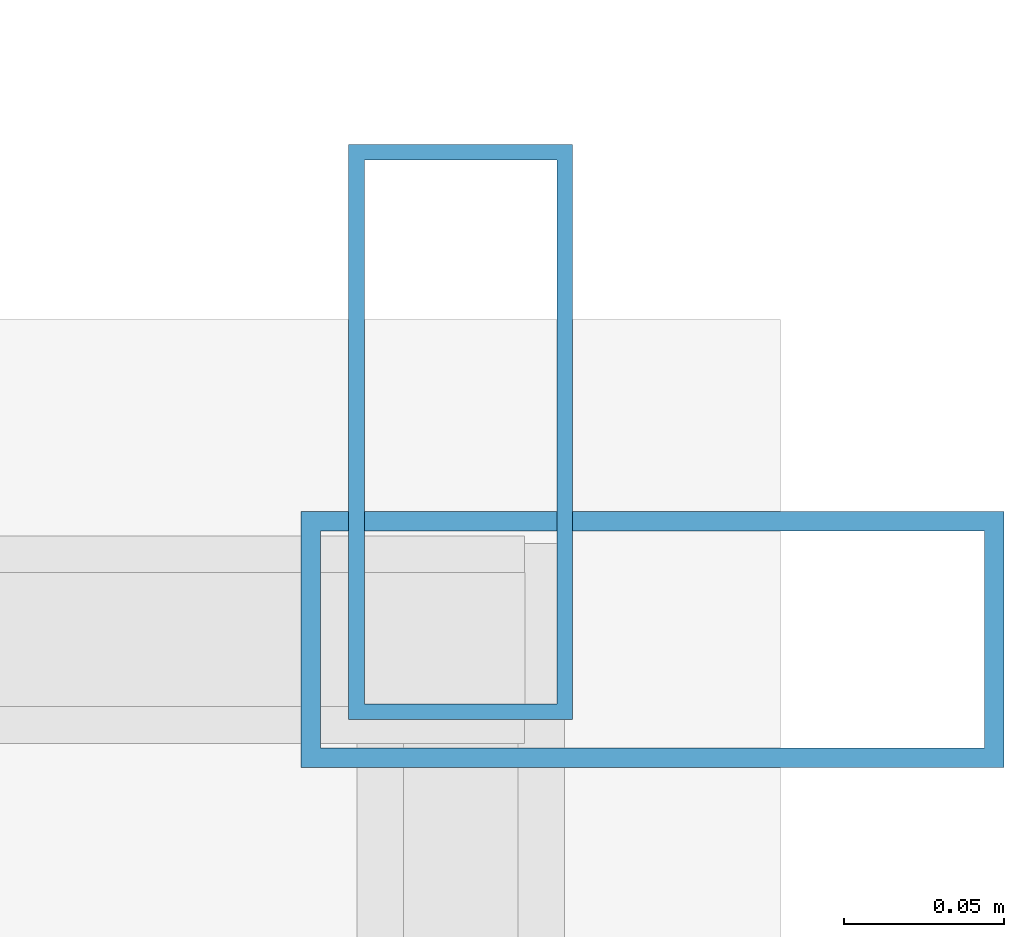
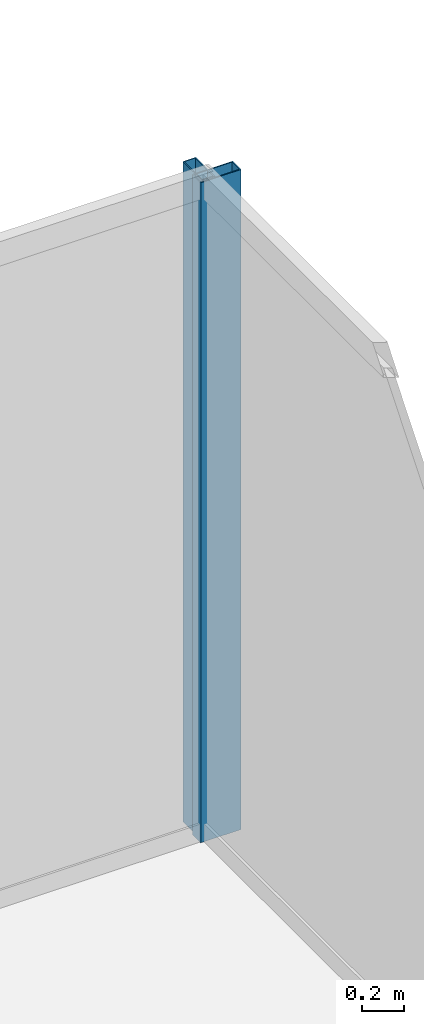
# One storey, part 26 of 36: 2 members, 2 elements without a shape of their own.
"""IFC4 building model written with IfcOpenShell, lengths in metres."""

from ifc_helpers import new_model, si_unit, direction, frame, origin, origin_2d, place, context, subcontext, project, spatial, hollow_rectangle, extrude, source, transform, mapped, material, layer, layer_set, material_profile, profile_set, type_object, type_shapes, element, aggregate, save


model = new_model("IFC4")

# Units and contexts
model_context = context("Model", 3, precision=1e-05, world=origin(), true_north=direction((0.0, 1.0)))
body_context = subcontext(model_context, "Body", "Model", "MODEL_VIEW")
ifc_project = project(units=[si_unit("LENGTHUNIT", "METRE"), si_unit("AREAUNIT", "SQUARE_METRE"), si_unit("VOLUMEUNIT", "CUBIC_METRE"), si_unit("PLANEANGLEUNIT", "RADIAN"), si_unit("MASSUNIT", "GRAM", prefix="KILO")], contexts=[model_context])

# Site, building, storey
site_placement = place(None, origin())
site = spatial("IfcSite", under=ifc_project, at=site_placement, CompositionType="ELEMENT")
building_placement = place(site_placement, origin())
building = spatial("IfcBuilding", under=site, at=building_placement, Name="Haelvirn Gate Laboratories", CompositionType="ELEMENT")
storey_placement = place(building_placement, frame((0.0, 0.0, 262.89990234375)))
storey = spatial("IfcBuildingStorey", under=building, at=storey_placement, Name="L63", CompositionType="ELEMENT", Elevation=262.89990234375)

# Curtain wall, member
ifc_material_1 = material(Name="Anodised bronze unitised aluminium & triple low-E glass", Category="aluminium")
ifc_layer_1 = layer(ifc_material_1, 0.176025390625, Name="CW-SYS-4")
ifc_layer_set_1 = layer_set([ifc_layer_1], Name="Anodised bronze unitised aluminium & triple low-E glass")
curtain_wall_type_1 = type_object("IfcCurtainWallType", Name="CW-SYS-4", PredefinedType="NOTDEFINED", material=ifc_layer_set_1)
curtain_wall_1_placement = place(storey_placement, origin())
curtain_wall_1 = element("IfcCurtainWall", 1, at=curtain_wall_1_placement, inside=storey, type_object=curtain_wall_type_1, Name="L63 Unitised Curtain Wall CW-L63-P0-E07", PredefinedType="NOTDEFINED")
ifc_material_2 = material(Name="Extruded aluminium 6063-T6 (anodised bronze)", Category="aluminium")
ifc_material_profile_1 = material_profile(ifc_material_2, hollow_rectangle(XDim=0.070068359375, YDim=0.179931640625, WallThickness=0.0048828125, at=origin_2d()), Name="CWM-180x70x5")
ifc_profile_set_1 = profile_set([ifc_material_profile_1], Name="Extruded aluminium 6063-T6 (anodised bronze)")
member_type_1 = type_object("IfcMemberType", Name="CWM-T180", PredefinedType="MULLION", material=ifc_profile_set_1)
shared_shape_1 = source(origin(), body_context, "Body", "SweptSolid", [
    extrude(hollow_rectangle(XDim=0.070068359375, YDim=0.179931640625, WallThickness=0.0048828125, at=origin_2d()), origin(), (0.0, 0.0, 1.0), 3.800048828125),
])
type_shapes(member_type_1, [shared_shape_1])
member_1_placement = place(storey_placement, frame((70.699951171875, 42.764892578125, 0.0), z_axis=(0.0, 0.0, 1.0), x_axis=(-1.0, 0.0, 0.0)))
member_1 = element("IfcMember", 2, at=member_1_placement, type_object=member_type_1, Name="CW4 mullion 3", PredefinedType="MULLION", context=body_context, shape_type="MappedRepresentation", body=[
    mapped(shared_shape_1, transform((0.0, 0.0, 0.0), scale=1.0)),
])
aggregate(curtain_wall_1, [member_1])

ifc_layer_2 = layer(ifc_material_1, 0.181884765625, Name="CW-SYS-5")
ifc_layer_set_2 = layer_set([ifc_layer_2], Name="Anodised bronze unitised aluminium & triple low-E glass")
curtain_wall_type_2 = type_object("IfcCurtainWallType", Name="CW-SYS-5", PredefinedType="NOTDEFINED", material=ifc_layer_set_2)
curtain_wall_2_placement = place(storey_placement, origin())
curtain_wall_2 = element("IfcCurtainWall", 3, at=curtain_wall_2_placement, inside=storey, type_object=curtain_wall_type_2, Name="L63 Unitised Curtain Wall CW-L63-P0-E08-1", PredefinedType="NOTDEFINED")
ifc_material_profile_2 = material_profile(ifc_material_2, hollow_rectangle(XDim=0.080078125, YDim=0.219970703125, WallThickness=0.006103515625, at=origin_2d()), Name="CWM-220x80x6")
ifc_profile_set_2 = profile_set([ifc_material_profile_2], Name="Extruded aluminium 6063-T6 (anodised bronze)")
member_type_2 = type_object("IfcMemberType", Name="CWM-T220", PredefinedType="MULLION", material=ifc_profile_set_2)
shared_shape_2 = source(origin(), body_context, "Body", "SweptSolid", [
    extrude(hollow_rectangle(XDim=0.080078125, YDim=0.219970703125, WallThickness=0.006103515625, at=origin_2d()), origin(), (0.0, 0.0, 1.0), 3.800048828125),
])
type_shapes(member_type_2, [shared_shape_2])
member_2_placement = place(storey_placement, frame((70.760009765625, 42.699951171875, 0.0), z_axis=(0.0, 0.0, 1.0), x_axis=(0.0, 1.0, 0.0)))
member_2 = element("IfcMember", 4, at=member_2_placement, type_object=member_type_2, Name="CW5 mullion 2", PredefinedType="MULLION", context=body_context, shape_type="MappedRepresentation", body=[
    mapped(shared_shape_2, transform((0.0, 0.0, 0.0), scale=1.0)),
])
aggregate(curtain_wall_2, [member_2])

save(model, "model.ifc")
